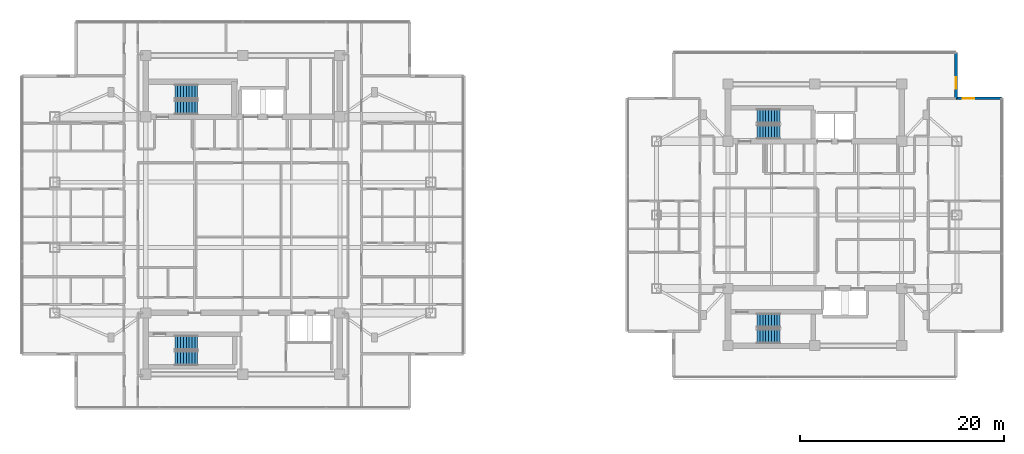
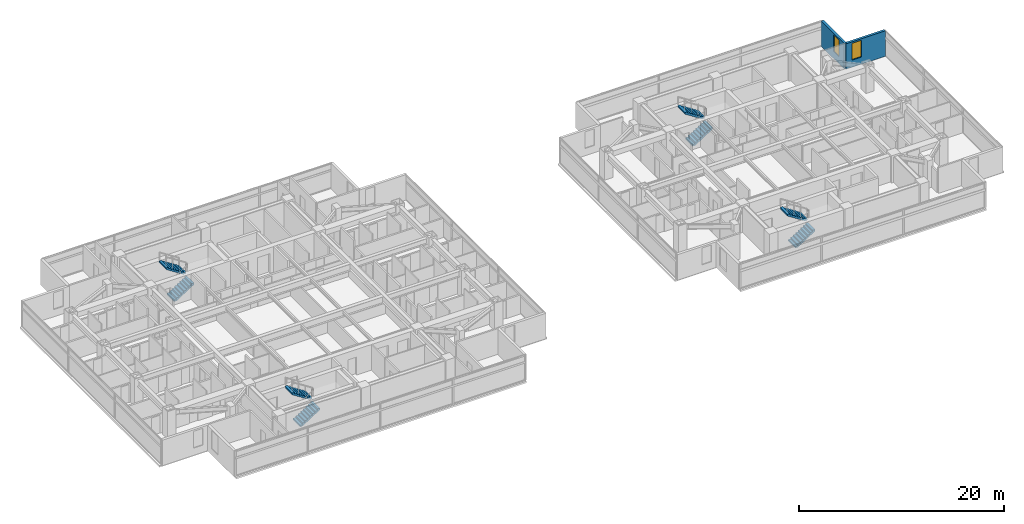
# One storey, part 19 of 25: 8 stair flights, 2 walls, 2 windows, 2 openings, 4 elements without a shape of their own.
"""IFC4 building model written with IfcOpenShell, lengths in metres."""

from ifc_helpers import new_model, si_unit, direction, frame, frame_2d, origin, place, context, subcontext, project, spatial, polyline, rectangle, outline, extrude, material, layer, layer_set, type_object, element, fill, aggregate, save


model = new_model("IFC4")

# Units and contexts
model_context = context("Model", 3, precision=1e-05, world=origin(), true_north=direction((0.0, 1.0)))
body_context = subcontext(model_context, "Body", "Model", "MODEL_VIEW")
ifc_project = project(units=[si_unit("LENGTHUNIT", "METRE"), si_unit("AREAUNIT", "SQUARE_METRE"), si_unit("VOLUMEUNIT", "CUBIC_METRE"), si_unit("PLANEANGLEUNIT", "RADIAN"), si_unit("MASSUNIT", "GRAM", prefix="KILO")], contexts=[model_context])

# Site, building, storey
site_placement = place(None, origin())
site = spatial("IfcSite", under=ifc_project, at=site_placement, CompositionType="ELEMENT")
building_placement = place(site_placement, origin())
building = spatial("IfcBuilding", under=site, at=building_placement, Name="Mirazonda Arch Towers", CompositionType="ELEMENT")
storey_placement = place(building_placement, frame((0.0, 0.0, 177.14990234375)))
storey = spatial("IfcBuildingStorey", under=building, at=storey_placement, Name="L50", CompositionType="ELEMENT", Elevation=177.14990234375)

# Wall, opening, window
ifc_material_1 = material(Name="Precast Concrete C40/50", Category="concrete")
ifc_layer = layer(ifc_material_1, 0.280029296875, Name="WALL-EXT-WALL-280")
ifc_layer_set = layer_set([ifc_layer], Name="Precast Concrete C40/50")
wall_type = type_object("IfcWallType", Name="WALL-EXT-WALL-280", PredefinedType="SOLIDWALL", material=ifc_layer_set)
wall_1_placement = place(storey_placement, frame((90.333251953125, 39.409423828125, 0.0), z_axis=(0.0, 0.0, 1.0), x_axis=(0.0, 1.0, 0.0)))
wall_1 = element("IfcWall", 1, at=wall_1_placement, inside=storey, type_object=wall_type, Name="L50 T2 Notched NE Corner Wall WL-L50-T2-CNE", PredefinedType="SOLIDWALL", context=body_context, shape_type="SweptSolid", body=[
    extrude(rectangle(XDim=4.465087890625, YDim=0.280029296875, at=frame_2d((2.232421875, 0.0))), origin(), (0.0, 0.0, 1.0), 3.030029296875),
])
opening_1_placement = place(wall_1_placement, frame((0.949951171875, 0.0, 0.85009765625)))
opening_1 = element("IfcOpeningElement", 2, at=opening_1_placement, cuts=wall_1, Name="Opening WN-108", PredefinedType="OPENING", context=body_context, shape_type="SweptSolid", body=[
    extrude(rectangle(XDim=1.10009765625, YDim=2.0, at=frame_2d((0.550048828125, 1.0))), frame((0.0, 0.14990234375, 0.0), z_axis=(0.0, -1.0, 0.0), x_axis=(1.0, 0.0, 0.0)), (0.0, 0.0, 1.0), 0.300048828125),
])
ifc_material_2 = material(Name="Insulated Low-E Solar Glass", Category="glass")
window_type = type_object("IfcWindowType", Name="WIN-NOTCH-1100x2000", PartitioningType="SINGLE_PANEL", PredefinedType="WINDOW", material=ifc_material_2)
window_1_placement = place(opening_1_placement, origin())
window_1 = element("IfcWindow", 3, at=window_1_placement, inside=storey, type_object=window_type, Name="L50 Punched Facade Window WN-L50-T2-CNE", OverallHeight=2.0, OverallWidth=1.10009765625, PartitioningType="SINGLE_PANEL", PredefinedType="WINDOW", context=body_context, shape_type="SweptSolid", body=[
    extrude(rectangle(XDim=1.10009765625, YDim=2.0, at=frame_2d((0.550048828125, 1.0))), frame((0.0, 0.030029296875, 0.0), z_axis=(0.0, -1.0, 0.0), x_axis=(1.0, 0.0, 0.0)), (0.0, 0.0, 1.0), 0.06005859375),
])
fill(opening_1, window_1)

wall_2_placement = place(storey_placement, frame((94.798583984375, 39.409423828125, 0.0), z_axis=(0.0, 0.0, 1.0), x_axis=(-1.0, 0.0, 0.0)))
wall_2 = element("IfcWall", 4, at=wall_2_placement, inside=storey, type_object=wall_type, Name="L50 T2 Corner Notch Return Wall WL-L50-T2-CNE2", PredefinedType="SOLIDWALL", context=body_context, shape_type="SweptSolid", body=[
    extrude(rectangle(XDim=4.46533203125, YDim=0.280029296875, at=frame_2d((2.232666015625, 0.0))), origin(), (0.0, 0.0, 1.0), 3.030029296875),
])
opening_2_placement = place(wall_2_placement, frame((2.715087890625, 0.0, 0.85009765625)))
opening_2 = element("IfcOpeningElement", 5, at=opening_2_placement, cuts=wall_2, Name="Opening WN-108", PredefinedType="OPENING", context=body_context, shape_type="SweptSolid", body=[
    extrude(rectangle(XDim=1.10009765625, YDim=2.0, at=frame_2d((0.550048828125, 1.0))), frame((0.0, 0.14990234375, 0.0), z_axis=(0.0, -1.0, 0.0), x_axis=(1.0, 0.0, 0.0)), (0.0, 0.0, 1.0), 0.300048828125),
])
window_2_placement = place(opening_2_placement, origin())
window_2 = element("IfcWindow", 6, at=window_2_placement, inside=storey, type_object=window_type, Name="L50 Punched Facade Window WN-L50-T2-CNE2", OverallHeight=2.0, OverallWidth=1.10009765625, PartitioningType="SINGLE_PANEL", PredefinedType="WINDOW", context=body_context, shape_type="SweptSolid", body=[
    extrude(rectangle(XDim=1.10009765625, YDim=2.0, at=frame_2d((0.550048828125, 1.0))), frame((0.0, 0.030029296875, 0.0), z_axis=(0.0, -1.0, 0.0), x_axis=(1.0, 0.0, 0.0)), (0.0, 0.0, 1.0), 0.06005859375),
])
fill(opening_2, window_2)

# Stair, stair flights
ifc_material_3 = material(Name="Concrete C40/50", Category="concrete")
stair_type = type_object("IfcStairType", Name="STAIR-CORE-1400", PredefinedType="HALF_TURN_STAIR", material=ifc_material_3)
stair_1_placement = place(storey_placement, origin())
stair_1 = element("IfcStair", 7, at=stair_1_placement, inside=storey, type_object=stair_type, Name="L50 Protected Exit Stair ST-T1N", PredefinedType="HALF_TURN_STAIR")
stair_flight_type = type_object("IfcStairFlightType", Name="FLIGHT-1400", PredefinedType="STRAIGHT", material=ifc_material_3)
stair_flight_1_placement = place(storey_placement, frame((13.85009765625, 38.52001953125, 0.0), z_axis=(0.0, 0.0, 1.0), x_axis=(1.0, 0.0, 0.0)))
stair_flight_1 = element("IfcStairFlight", 8, at=stair_flight_1_placement, type_object=stair_flight_type, Name="ST-T1N flight 1", NumberOfRisers=9, NumberOfTreads=8, PredefinedType="STRAIGHT", RiserHeight=0.180555556, TreadLength=0.28, context=body_context, shape_type="SweptSolid", body=[
    extrude(outline(polyline([(0.0, 0.0), (0.0, 0.1806640625), (0.280029296875, 0.1806640625), (0.280029296875, 0.361083984375), (0.56005859375, 0.361083984375), (0.56005859375, 0.541748046875), (0.840087890625, 0.541748046875), (0.840087890625, 0.72216796875), (1.1201171875, 0.72216796875), (1.1201171875, 0.90283203125), (1.39990234375, 0.90283203125), (1.39990234375, 1.083251953125), (1.679931640625, 1.083251953125), (1.679931640625, 1.263916015625), (1.9599609375, 1.263916015625), (1.9599609375, 1.4443359375), (2.239990234375, 1.4443359375), (2.239990234375, 1.625), (2.239990234375, 1.254150390625), (0.295166015625, 0.0), (0.0, 0.0)])), frame((0.0, 0.699951171875, 0.0), z_axis=(0.0, -1.0, 0.0), x_axis=(1.0, 0.0, 0.0)), (0.0, 0.0, 1.0), 1.39990234375),
])
stair_flight_2_placement = place(storey_placement, frame((16.090087890625, 40.06005859375, 1.625), z_axis=(0.0, 0.0, 1.0), x_axis=(-1.0, 0.0, 0.0)))
stair_flight_2 = element("IfcStairFlight", 9, at=stair_flight_2_placement, type_object=stair_flight_type, Name="ST-T1N flight 2", NumberOfRisers=9, NumberOfTreads=8, PredefinedType="STRAIGHT", RiserHeight=0.180555556, TreadLength=0.28, context=body_context, shape_type="SweptSolid", body=[
    extrude(outline(polyline([(0.0, 0.0), (0.0, 0.1806640625), (0.280029296875, 0.1806640625), (0.280029296875, 0.361083984375), (0.56005859375, 0.361083984375), (0.56005859375, 0.541748046875), (0.840087890625, 0.541748046875), (0.840087890625, 0.72216796875), (1.1201171875, 0.72216796875), (1.1201171875, 0.90283203125), (1.39990234375, 0.90283203125), (1.39990234375, 1.083251953125), (1.679931640625, 1.083251953125), (1.679931640625, 1.263916015625), (1.9599609375, 1.263916015625), (1.9599609375, 1.4443359375), (2.239990234375, 1.4443359375), (2.239990234375, 1.625), (2.239990234375, 1.254150390625), (0.295166015625, 0.0), (0.0, 0.0)])), frame((0.0, 0.699951171875, 0.0), z_axis=(0.0, -1.0, 0.0), x_axis=(1.0, 0.0, 0.0)), (0.0, 0.0, 1.0), 1.39990234375),
])
aggregate(stair_1, [stair_flight_1, stair_flight_2])

stair_2_placement = place(storey_placement, origin())
stair_2 = element("IfcStair", 10, at=stair_2_placement, inside=storey, type_object=stair_type, Name="L50 Protected Exit Stair ST-T1S", PredefinedType="HALF_TURN_STAIR")
stair_flight_3_placement = place(storey_placement, frame((13.85009765625, 13.949951171875, 0.0), z_axis=(0.0, 0.0, 1.0), x_axis=(1.0, 0.0, 0.0)))
stair_flight_3 = element("IfcStairFlight", 11, at=stair_flight_3_placement, type_object=stair_flight_type, Name="ST-T1S flight 1", NumberOfRisers=9, NumberOfTreads=8, PredefinedType="STRAIGHT", RiserHeight=0.180555556, TreadLength=0.28, context=body_context, shape_type="SweptSolid", body=[
    extrude(outline(polyline([(0.0, 0.0), (0.0, 0.1806640625), (0.280029296875, 0.1806640625), (0.280029296875, 0.361083984375), (0.56005859375, 0.361083984375), (0.56005859375, 0.541748046875), (0.840087890625, 0.541748046875), (0.840087890625, 0.72216796875), (1.1201171875, 0.72216796875), (1.1201171875, 0.90283203125), (1.39990234375, 0.90283203125), (1.39990234375, 1.083251953125), (1.679931640625, 1.083251953125), (1.679931640625, 1.263916015625), (1.9599609375, 1.263916015625), (1.9599609375, 1.4443359375), (2.239990234375, 1.4443359375), (2.239990234375, 1.625), (2.239990234375, 1.254150390625), (0.295166015625, 0.0), (0.0, 0.0)])), frame((0.0, 0.699951171875, 0.0), z_axis=(0.0, -1.0, 0.0), x_axis=(1.0, 0.0, 0.0)), (0.0, 0.0, 1.0), 1.39990234375),
])
stair_flight_4_placement = place(storey_placement, frame((16.090087890625, 15.489990234375, 1.625), z_axis=(0.0, 0.0, 1.0), x_axis=(-1.0, 0.0, 0.0)))
stair_flight_4 = element("IfcStairFlight", 12, at=stair_flight_4_placement, type_object=stair_flight_type, Name="ST-T1S flight 2", NumberOfRisers=9, NumberOfTreads=8, PredefinedType="STRAIGHT", RiserHeight=0.180555556, TreadLength=0.28, context=body_context, shape_type="SweptSolid", body=[
    extrude(outline(polyline([(0.0, 0.0), (0.0, 0.1806640625), (0.280029296875, 0.1806640625), (0.280029296875, 0.361083984375), (0.56005859375, 0.361083984375), (0.56005859375, 0.541748046875), (0.840087890625, 0.541748046875), (0.840087890625, 0.72216796875), (1.1201171875, 0.72216796875), (1.1201171875, 0.90283203125), (1.39990234375, 0.90283203125), (1.39990234375, 1.083251953125), (1.679931640625, 1.083251953125), (1.679931640625, 1.263916015625), (1.9599609375, 1.263916015625), (1.9599609375, 1.4443359375), (2.239990234375, 1.4443359375), (2.239990234375, 1.625), (2.239990234375, 1.254150390625), (0.295166015625, 0.0), (0.0, 0.0)])), frame((0.0, 0.699951171875, 0.0), z_axis=(0.0, -1.0, 0.0), x_axis=(1.0, 0.0, 0.0)), (0.0, 0.0, 1.0), 1.39990234375),
])
aggregate(stair_2, [stair_flight_3, stair_flight_4])

stair_3_placement = place(storey_placement, origin())
stair_3 = element("IfcStair", 13, at=stair_3_placement, inside=storey, type_object=stair_type, Name="L50 Protected Exit Stair ST-T2N", PredefinedType="HALF_TURN_STAIR")
stair_flight_5_placement = place(storey_placement, frame((70.85009765625, 36.1201171875, 0.0), z_axis=(0.0, 0.0, 1.0), x_axis=(1.0, 0.0, 0.0)))
stair_flight_5 = element("IfcStairFlight", 14, at=stair_flight_5_placement, type_object=stair_flight_type, Name="ST-T2N flight 1", NumberOfRisers=9, NumberOfTreads=8, PredefinedType="STRAIGHT", RiserHeight=0.180555556, TreadLength=0.28, context=body_context, shape_type="SweptSolid", body=[
    extrude(outline(polyline([(0.0, 0.0), (0.0, 0.1806640625), (0.280029296875, 0.1806640625), (0.280029296875, 0.361083984375), (0.56005859375, 0.361083984375), (0.56005859375, 0.541748046875), (0.840087890625, 0.541748046875), (0.840087890625, 0.72216796875), (1.1201171875, 0.72216796875), (1.1201171875, 0.90283203125), (1.39990234375, 0.90283203125), (1.39990234375, 1.083251953125), (1.679931640625, 1.083251953125), (1.679931640625, 1.263916015625), (1.9599609375, 1.263916015625), (1.9599609375, 1.4443359375), (2.239990234375, 1.4443359375), (2.239990234375, 1.625), (2.239990234375, 1.254150390625), (0.295166015625, 0.0), (0.0, 0.0)])), frame((0.0, 0.699951171875, 0.0), z_axis=(0.0, -1.0, 0.0), x_axis=(1.0, 0.0, 0.0)), (0.0, 0.0, 1.0), 1.39990234375),
])
stair_flight_6_placement = place(storey_placement, frame((73.090087890625, 37.659912109375, 1.625), z_axis=(0.0, 0.0, 1.0), x_axis=(-1.0, 0.0, 0.0)))
stair_flight_6 = element("IfcStairFlight", 15, at=stair_flight_6_placement, type_object=stair_flight_type, Name="ST-T2N flight 2", NumberOfRisers=9, NumberOfTreads=8, PredefinedType="STRAIGHT", RiserHeight=0.180555556, TreadLength=0.28, context=body_context, shape_type="SweptSolid", body=[
    extrude(outline(polyline([(0.0, 0.0), (0.0, 0.1806640625), (0.280029296875, 0.1806640625), (0.280029296875, 0.361083984375), (0.56005859375, 0.361083984375), (0.56005859375, 0.541748046875), (0.840087890625, 0.541748046875), (0.840087890625, 0.72216796875), (1.1201171875, 0.72216796875), (1.1201171875, 0.90283203125), (1.39990234375, 0.90283203125), (1.39990234375, 1.083251953125), (1.679931640625, 1.083251953125), (1.679931640625, 1.263916015625), (1.9599609375, 1.263916015625), (1.9599609375, 1.4443359375), (2.239990234375, 1.4443359375), (2.239990234375, 1.625), (2.239990234375, 1.254150390625), (0.295166015625, 0.0), (0.0, 0.0)])), frame((0.0, 0.699951171875, 0.0), z_axis=(0.0, -1.0, 0.0), x_axis=(1.0, 0.0, 0.0)), (0.0, 0.0, 1.0), 1.39990234375),
])
aggregate(stair_3, [stair_flight_5, stair_flight_6])

stair_4_placement = place(storey_placement, origin())
stair_4 = element("IfcStair", 16, at=stair_4_placement, inside=storey, type_object=stair_type, Name="L50 Protected Exit Stair ST-T2S", PredefinedType="HALF_TURN_STAIR")
stair_flight_7_placement = place(storey_placement, frame((70.85009765625, 16.1201171875, 0.0), z_axis=(0.0, 0.0, 1.0), x_axis=(1.0, 0.0, 0.0)))
stair_flight_7 = element("IfcStairFlight", 17, at=stair_flight_7_placement, type_object=stair_flight_type, Name="ST-T2S flight 1", NumberOfRisers=9, NumberOfTreads=8, PredefinedType="STRAIGHT", RiserHeight=0.180555556, TreadLength=0.28, context=body_context, shape_type="SweptSolid", body=[
    extrude(outline(polyline([(0.0, 0.0), (0.0, 0.1806640625), (0.280029296875, 0.1806640625), (0.280029296875, 0.361083984375), (0.56005859375, 0.361083984375), (0.56005859375, 0.541748046875), (0.840087890625, 0.541748046875), (0.840087890625, 0.72216796875), (1.1201171875, 0.72216796875), (1.1201171875, 0.90283203125), (1.39990234375, 0.90283203125), (1.39990234375, 1.083251953125), (1.679931640625, 1.083251953125), (1.679931640625, 1.263916015625), (1.9599609375, 1.263916015625), (1.9599609375, 1.4443359375), (2.239990234375, 1.4443359375), (2.239990234375, 1.625), (2.239990234375, 1.254150390625), (0.295166015625, 0.0), (0.0, 0.0)])), frame((0.0, 0.699951171875, 0.0), z_axis=(0.0, -1.0, 0.0), x_axis=(1.0, 0.0, 0.0)), (0.0, 0.0, 1.0), 1.39990234375),
])
stair_flight_8_placement = place(storey_placement, frame((73.090087890625, 17.659912109375, 1.625), z_axis=(0.0, 0.0, 1.0), x_axis=(-1.0, 0.0, 0.0)))
stair_flight_8 = element("IfcStairFlight", 18, at=stair_flight_8_placement, type_object=stair_flight_type, Name="ST-T2S flight 2", NumberOfRisers=9, NumberOfTreads=8, PredefinedType="STRAIGHT", RiserHeight=0.180555556, TreadLength=0.28, context=body_context, shape_type="SweptSolid", body=[
    extrude(outline(polyline([(0.0, 0.0), (0.0, 0.1806640625), (0.280029296875, 0.1806640625), (0.280029296875, 0.361083984375), (0.56005859375, 0.361083984375), (0.56005859375, 0.541748046875), (0.840087890625, 0.541748046875), (0.840087890625, 0.72216796875), (1.1201171875, 0.72216796875), (1.1201171875, 0.90283203125), (1.39990234375, 0.90283203125), (1.39990234375, 1.083251953125), (1.679931640625, 1.083251953125), (1.679931640625, 1.263916015625), (1.9599609375, 1.263916015625), (1.9599609375, 1.4443359375), (2.239990234375, 1.4443359375), (2.239990234375, 1.625), (2.239990234375, 1.254150390625), (0.295166015625, 0.0), (0.0, 0.0)])), frame((0.0, 0.699951171875, 0.0), z_axis=(0.0, -1.0, 0.0), x_axis=(1.0, 0.0, 0.0)), (0.0, 0.0, 1.0), 1.39990234375),
])
aggregate(stair_4, [stair_flight_7, stair_flight_8])

save(model, "model.ifc")
